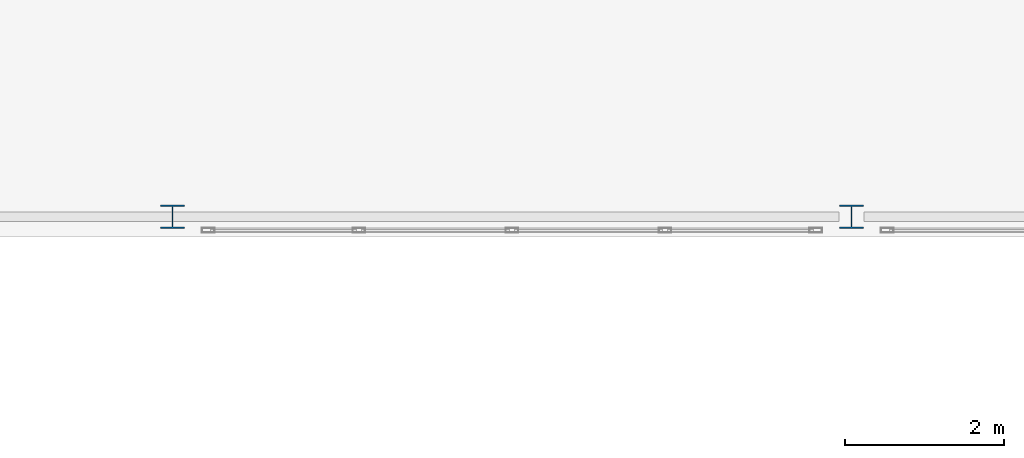
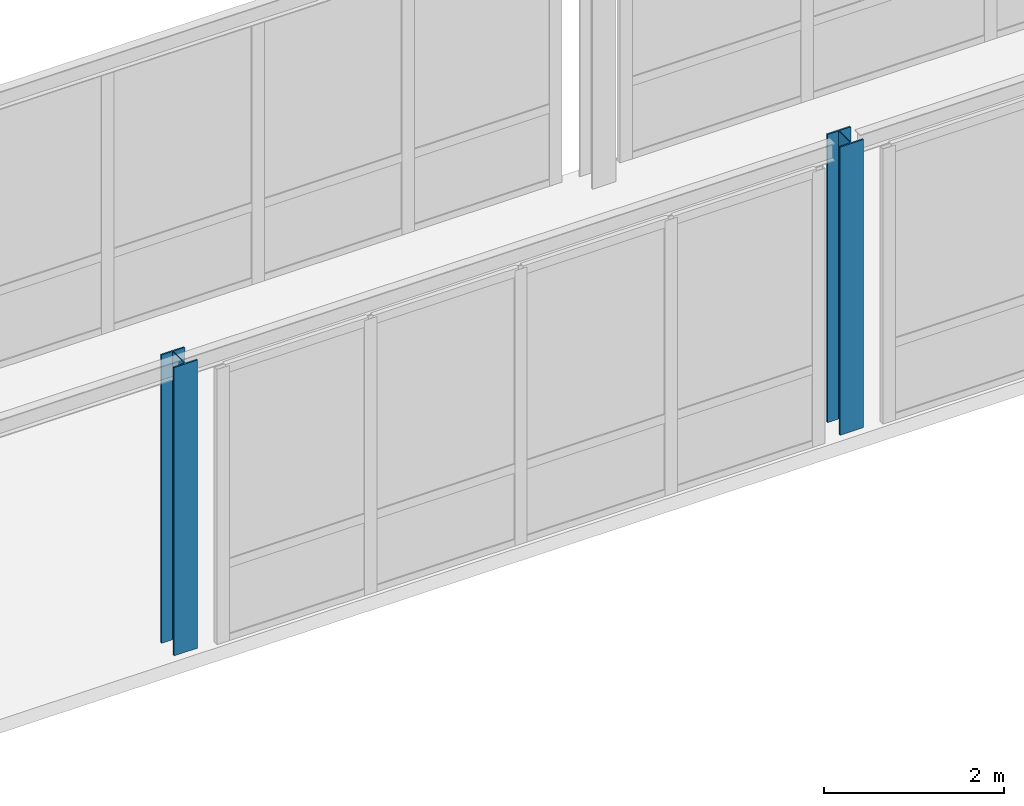
# One storey, part 6 of 165: 2 columns.
"""IFC4 building model written with IfcOpenShell, lengths in metres."""

from ifc_helpers import new_model, si_unit, direction, frame, origin, origin_2d, place, context, subcontext, project, spatial, i_section, extrude, material, material_profile, profile_set, type_object, element, save


model = new_model("IFC4")

# Units and contexts
model_context = context("Model", 3, precision=1e-05, world=origin(), true_north=direction((0.0, 1.0)))
body_context = subcontext(model_context, "Body", "Model", "MODEL_VIEW")
ifc_project = project(units=[si_unit("LENGTHUNIT", "METRE"), si_unit("AREAUNIT", "SQUARE_METRE"), si_unit("VOLUMEUNIT", "CUBIC_METRE"), si_unit("PLANEANGLEUNIT", "RADIAN"), si_unit("MASSUNIT", "GRAM", prefix="KILO")], contexts=[model_context])

# Site, building, storey
site_placement = place(None, origin())
site = spatial("IfcSite", under=ifc_project, at=site_placement, CompositionType="ELEMENT")
building_placement = place(site_placement, origin())
building = spatial("IfcBuilding", under=site, at=building_placement, Name="Montecoro Central Library", CompositionType="ELEMENT")
storey_placement = place(building_placement, frame((0.0, 0.0, 5.10009765625)))
storey = spatial("IfcBuildingStorey", under=building, at=storey_placement, Name="L01", CompositionType="ELEMENT", Elevation=5.10009765625)

# Columns
ifc_material = material(Name="Steel S355", Category="steel")
ifc_material_profile = material_profile(ifc_material, i_section(OverallWidth=0.300048828125, OverallDepth=0.300048828125, WebThickness=0.010986328125, FlangeThickness=0.01904296875, at=origin_2d()), Name="HEB 300")
ifc_profile_set = profile_set([ifc_material_profile], Name="Steel S355")
column_type = type_object("IfcColumnType", Name="COL-HEB300", PredefinedType="COLUMN", material=ifc_profile_set)
for number, where, z_axis, x_axis, name in (
    (1, (116.659912109375, 32.64990234375, 0.0), (0.0, 0.0, 1.0), (1.0, 0.0, 0.0), "BR-SE-L01-COL-1166-326"),
    (2, (125.199951171875, 32.64990234375, 0.0), (0.0, 0.0, 1.0), (1.0, 0.0, 0.0), "BR-SE-L01-COL-1252-326"),
):
    element("IfcColumn", number, at=place(storey_placement, frame(where, z_axis=z_axis, x_axis=x_axis)), inside=storey, type_object=column_type, Name=name, PredefinedType="COLUMN", context=body_context, shape_type="SweptSolid", body=[
        extrude(i_section(OverallWidth=0.300048828125, OverallDepth=0.300048828125, WebThickness=0.010986328125, FlangeThickness=0.01904296875, at=origin_2d()), origin(), (0.0, 0.0, 1.0), 3.907958984375),
    ])

save(model, "model.ifc")
